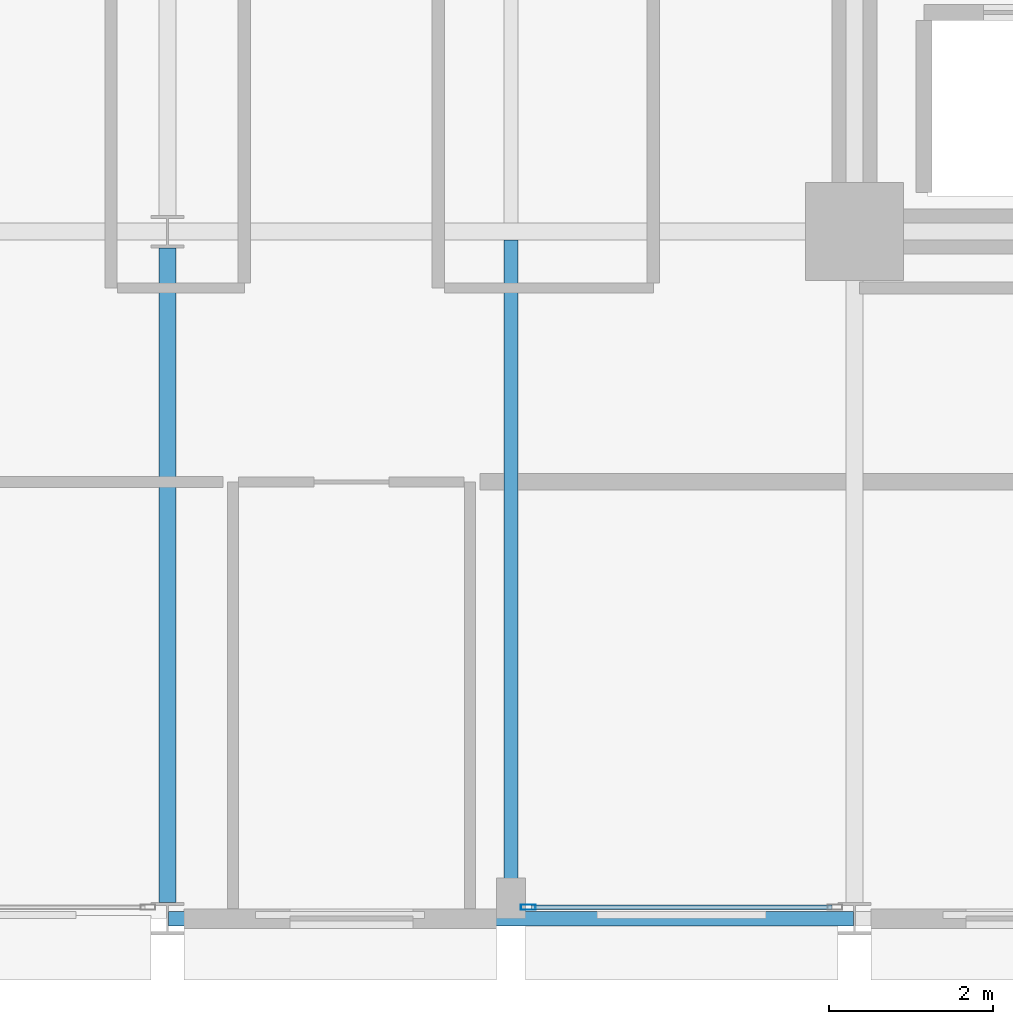
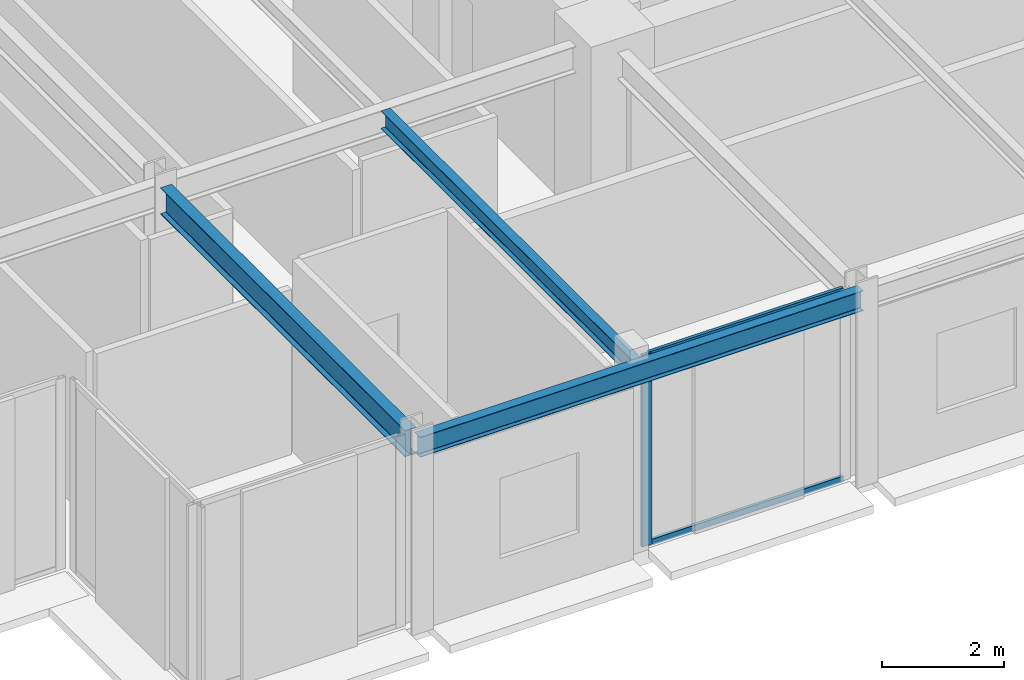
# One storey, part 3 of 30: 3 beams, 3 members, 1 element without a shape of its own.
"""IFC4 building model written with IfcOpenShell, lengths in metres."""

import ifcopenshell
import ifcopenshell.guid

model = None  # the IFC model being written
_history = None  # IfcOwnerHistory: only IFC2X3 demands one
_inside = {}  # id of a spatial element -> (the spatial element, [elements in it])
_under = {}  # id of a project, library or spatial element -> (it, [spatial elements below it])
_declared = {}  # id of a project -> (the project, [libraries it declares])
_typed = {}  # id of a type object -> (the type object, [elements of that type])
_made_of = {}  # id of a material, layer set ... -> (it, [elements and type objects made of it])


def new_model(schema):
    """Start an empty IFC model of exactly this schema.

    Asked for "IFC4X3", IfcOpenShell would pick the latest addendum, in which some entities
    have other attributes; the version numbers below select the first issue.
    IFC2X3 requires an IfcOwnerHistory on every rooted entity: one is made here for all.
    """
    global model, _history
    if schema == "IFC4X3":
        model = ifcopenshell.file(schema_version=(4, 3, 0, 0))
    else:
        model = ifcopenshell.file(schema=schema)
    _inside.clear()
    _under.clear()
    _declared.clear()
    _typed.clear()
    _made_of.clear()
    _history = None
    if model.schema == "IFC2X3":
        org = make("IfcOrganization", Name="unknown")
        user = make(
            "IfcPersonAndOrganization",
            ThePerson=make("IfcPerson", FamilyName="unknown"),
            TheOrganization=org,
        )
        app = make(
            "IfcApplication",
            ApplicationDeveloper=org,
            Version="unknown",
            ApplicationFullName="unknown",
            ApplicationIdentifier="unknown",
        )
        _history = make(
            "IfcOwnerHistory",
            OwningUser=user,
            OwningApplication=app,
            ChangeAction="ADDED",
            CreationDate=0,
        )
    return model


def make(cls, **values):
    """One entity of the class cls with the attributes given. An attribute that is None is left unset."""
    return model.create_entity(
        cls, **{name: value for name, value in values.items() if value is not None}
    )


def rooted(cls, **values):
    """An entity with a GlobalId (a new one), such as an element, a storey or a relation."""
    return make(cls, GlobalId=ifcopenshell.guid.new(), OwnerHistory=_history, **values)


def si_unit(unit_type, name, prefix=None):
    """IfcSIUnit, for example si_unit("LENGTHUNIT", "METRE", prefix="MILLI")."""
    return make("IfcSIUnit", UnitType=unit_type, Prefix=prefix, Name=name)


def assignment(units):
    """IfcUnitAssignment: the units of a project."""
    return None if units is None else make("IfcUnitAssignment", Units=units)


def point(xyz):
    """IfcCartesianPoint."""
    return None if xyz is None else make("IfcCartesianPoint", Coordinates=xyz)


def direction(xyz):
    """IfcDirection."""
    return None if xyz is None else make("IfcDirection", DirectionRatios=xyz)


def frame(location, z_axis=None, x_axis=None):
    """IfcAxis2Placement3D, a coordinate frame: its origin and axes. An axis left out is left unset."""
    return make(
        "IfcAxis2Placement3D",
        Location=point(location),
        Axis=direction(z_axis),
        RefDirection=direction(x_axis),
    )


def frame_2d(location, x_axis=None):
    """IfcAxis2Placement2D, a coordinate frame in the plane: its origin and x axis."""
    return make(
        "IfcAxis2Placement2D", Location=point(location), RefDirection=direction(x_axis)
    )


def origin():
    """The frame at (0, 0, 0) with its axes left unset."""
    return frame((0.0, 0.0, 0.0))


def origin_2d():
    """The frame at (0, 0) in the plane with its x axis left unset."""
    return frame_2d((0.0, 0.0))


def place(relative_to, where):
    """IfcLocalPlacement: puts the frame where relative to a parent placement (None: the world)."""
    return make(
        "IfcLocalPlacement", PlacementRelTo=relative_to, RelativePlacement=where
    )


def context(
    kind, dimensions, precision=None, world=None, true_north=None, identifier=None
):
    """IfcGeometricRepresentationContext, for example the 3D "Model" context."""
    return make(
        "IfcGeometricRepresentationContext",
        ContextIdentifier=identifier,
        ContextType=kind,
        CoordinateSpaceDimension=dimensions,
        Precision=precision,
        WorldCoordinateSystem=world,
        TrueNorth=true_north,
    )


def subcontext(parent, identifier, kind, view, scale=None):
    """IfcGeometricRepresentationSubContext, for example "Body" below "Model"."""
    return make(
        "IfcGeometricRepresentationSubContext",
        ContextIdentifier=identifier,
        ContextType=kind,
        ParentContext=parent,
        TargetScale=scale,
        TargetView=view,
    )


def project(units=None, contexts=None):
    """IfcProject with its units and contexts."""
    return rooted(
        "IfcProject",
        Name="project",
        RepresentationContexts=contexts,
        UnitsInContext=assignment(units),
    )


def spatial(cls, under=None, at=None, **own):
    """A site, building, storey or space (cls), placed at a placement, below another one or the project."""
    s = rooted(cls, ObjectPlacement=at, **own)
    if under is not None:
        _under.setdefault(under.id(), (under, []))[1].append(s)
    return s


def profile(cls, at=None, kind="AREA", **sizes):
    """A parametric profile (cls). Its sizes go by their IFC names, for example OverallWidth=200.0."""
    return make(cls, ProfileType=kind, Position=at, **sizes)


def hollow_rectangle(**sizes):
    """IfcRectangleHollowProfileDef."""
    return profile("IfcRectangleHollowProfileDef", **sizes)


def i_section(**sizes):
    """IfcIShapeProfileDef."""
    return profile("IfcIShapeProfileDef", **sizes)


def extrude(swept, where, along, depth):
    """IfcExtrudedAreaSolid: the profile swept, set in the frame where, extruded along a direction by depth."""
    return make(
        "IfcExtrudedAreaSolid",
        SweptArea=swept,
        Position=where,
        ExtrudedDirection=direction(along),
        Depth=depth,
    )


def shape(context_of_items, identifier, shape_type, items):
    """IfcShapeRepresentation: the items that make up one representation, for example the "Body"."""
    return make(
        "IfcShapeRepresentation",
        ContextOfItems=context_of_items,
        RepresentationIdentifier=identifier,
        RepresentationType=shape_type,
        Items=items,
    )


def material(Name=None, Category=None):
    """IfcMaterial."""
    return make("IfcMaterial", Name=Name, Category=Category)


def layer(
    of_material, thickness, ventilated=None, Name=None, Category=None, Priority=None
):
    """IfcMaterialLayer: one layer of a wall or slab, of a material (None: an air gap)."""
    return make(
        "IfcMaterialLayer",
        Material=of_material,
        LayerThickness=thickness,
        IsVentilated=ventilated,
        Name=Name,
        Category=Category,
        Priority=Priority,
    )


def layer_set(layers, Name=None):
    """IfcMaterialLayerSet."""
    return make("IfcMaterialLayerSet", MaterialLayers=layers, LayerSetName=Name)


def material_profile(
    of_material, cross_section, Name=None, Category=None, Priority=None
):
    """IfcMaterialProfile: a cross section and its material."""
    return make(
        "IfcMaterialProfile",
        Name=Name,
        Material=of_material,
        Profile=cross_section,
        Priority=Priority,
        Category=Category,
    )


def profile_set(profiles, Name=None, composite=None):
    """IfcMaterialProfileSet."""
    return make(
        "IfcMaterialProfileSet",
        Name=Name,
        MaterialProfiles=profiles,
        CompositeProfile=composite,
    )


def made_of(thing, what):
    """Note that an element or type object is made of a material, layer set ...; save() writes the relation."""
    if what is not None:
        _made_of.setdefault(what.id(), (what, []))[1].append(thing)
    return thing


def type_object(cls, material=None, **own):
    """A type object (cls), such as IfcWallType, which elements share."""
    return made_of(rooted(cls, **own), material)


def element(
    cls,
    number,
    at=None,
    inside=None,
    cuts=None,
    type_object=None,
    material=None,
    context=None,
    identifier="Body",
    shape_type=None,
    held_by="IfcProductDefinitionShape",
    body=None,
    shapes=None,
    **own,
):
    """One element of the class cls, such as IfcWall. Its Tag is "e" and its number.

    at: its placement. inside: the storey or other place that contains it. cuts: it is an
    opening in that element (IfcRelVoidsElement). A single representation is given by context,
    identifier, shape_type and body (its items); several are given by shapes. held_by: the class
    of the entity that holds the representations. save() writes the other relations.
    """
    e = rooted(cls, Tag="e%d" % number, ObjectPlacement=at, **own)
    if body is not None:
        shapes = [shape(context, identifier, shape_type, body)]
    if shapes is not None:
        e.Representation = make(held_by, Representations=shapes)
    if inside is not None:
        _inside.setdefault(inside.id(), (inside, []))[1].append(e)
    if cuts is not None:
        rooted(
            "IfcRelVoidsElement", RelatingBuildingElement=cuts, RelatedOpeningElement=e
        )
    if type_object is not None:
        _typed.setdefault(type_object.id(), (type_object, []))[1].append(e)
    return made_of(e, material)


def aggregate(whole, parts):
    """IfcRelAggregates: a whole, such as a stair, and the parts it consists of."""
    return rooted("IfcRelAggregates", RelatingObject=whole, RelatedObjects=parts)


def save(model, path):
    """Write the relations noted so far, then the file.

    IfcRelAggregates (storeys below a building ...), IfcRelContainedInSpatialStructure (elements
    in a storey), IfcRelDefinesByType, IfcRelAssociatesMaterial and IfcRelDeclares: one each for
    every whole, place, type object, material and project.
    """
    for whole, parts in _under.values():
        aggregate(whole, parts)
    for where, things in _inside.values():
        rooted(
            "IfcRelContainedInSpatialStructure",
            RelatedElements=things,
            RelatingStructure=where,
        )
    for kind, things in _typed.values():
        rooted("IfcRelDefinesByType", RelatedObjects=things, RelatingType=kind)
    for what, things in _made_of.values():
        rooted("IfcRelAssociatesMaterial", RelatedObjects=things, RelatingMaterial=what)
    for by, libraries in _declared.values():
        rooted("IfcRelDeclares", RelatingContext=by, RelatedDefinitions=libraries)
    model.write(path)


model = new_model("IFC4")

# Units and contexts
model_context = context("Model", 3, precision=1e-05, world=origin(), true_north=direction((0.0, 1.0)))
body_context = subcontext(model_context, "Body", "Model", "MODEL_VIEW")
ifc_project = project(units=[si_unit("LENGTHUNIT", "METRE"), si_unit("AREAUNIT", "SQUARE_METRE"), si_unit("VOLUMEUNIT", "CUBIC_METRE"), si_unit("PLANEANGLEUNIT", "RADIAN"), si_unit("MASSUNIT", "GRAM", prefix="KILO")], contexts=[model_context])

# Site, building, storey
site_placement = place(None, origin())
site = spatial("IfcSite", under=ifc_project, at=site_placement, CompositionType="ELEMENT")
building_placement = place(site_placement, origin())
building = spatial("IfcBuilding", under=site, at=building_placement, Name="Nerrivon Quay Data Exchange", CompositionType="ELEMENT")
storey_placement = place(building_placement, frame((0.0, 0.0, 154.10009765625)))
storey = spatial("IfcBuildingStorey", under=building, at=storey_placement, Name="L36", CompositionType="ELEMENT", Elevation=154.10009765625)

# Beams
ifc_material_1 = material(Name="Steel Grade 350", Category="steel")
ifc_material_profile_1 = material_profile(ifc_material_1, i_section(OverallWidth=0.208984375, OverallDepth=0.528076171875, WebThickness=0.009521484375, FlangeThickness=0.01318359375, FilletRadius=0.013916015625, at=origin_2d()), Name="530UB82.0")
ifc_profile_set_1 = profile_set([ifc_material_profile_1], Name="Steel Grade 350")
beam_type_1 = type_object("IfcBeamType", Name="BM-G4-530UB82", PredefinedType="BEAM", material=ifc_profile_set_1)
beam_1_placement = place(storey_placement, frame((8.39990234375, 0.199951171875, 3.560791015625), z_axis=(0.0, 1.0, 0.0), x_axis=(-1.0, 0.0, 0.0)))
element("IfcBeam", 1, at=beam_1_placement, inside=storey, type_object=beam_type_1, Name="L36 NS Girder X=8.4 (0.0..8.4)", PredefinedType="BEAM", context=body_context, shape_type="SweptSolid", body=[
    extrude(i_section(OverallWidth=0.208984375, OverallDepth=0.528076171875, WebThickness=0.009521484375, FlangeThickness=0.01318359375, FilletRadius=0.013916015625, at=origin_2d()), origin(), (0.0, 0.0, 1.0), 8.0),
])
ifc_material_profile_2 = material_profile(ifc_material_1, i_section(OverallWidth=0.1708984375, OverallDepth=0.35595703125, WebThickness=0.00732421875, FlangeThickness=0.011474609375, FilletRadius=0.011474609375, at=origin_2d()), Name="360UB50.7")
ifc_profile_set_2 = profile_set([ifc_material_profile_2], Name="Steel Grade 350")
beam_type_2 = type_object("IfcBeamType", Name="BM-J4-360UB51", PredefinedType="JOIST", material=ifc_profile_set_2)
beam_2_placement = place(storey_placement, frame((12.60009765625, 0.089111328125, 3.64697265625), z_axis=(0.0, 1.0, 0.0), x_axis=(-1.0, 0.0, 0.0)))
element("IfcBeam", 2, at=beam_2_placement, inside=storey, type_object=beam_type_2, Name="L36 Secondary Joist X=12.6 (0.0..8.4)", PredefinedType="JOIST", context=body_context, shape_type="SweptSolid", body=[
    extrude(i_section(OverallWidth=0.1708984375, OverallDepth=0.35595703125, WebThickness=0.00732421875, FlangeThickness=0.011474609375, FilletRadius=0.011474609375, at=origin_2d()), origin(), (0.0, 0.0, 1.0), 8.206298828125),
])
ifc_material_profile_3 = material_profile(ifc_material_1, i_section(OverallWidth=0.177978515625, OverallDepth=0.403076171875, WebThickness=0.007568359375, FlangeThickness=0.010986328125, FilletRadius=0.011474609375, at=origin_2d()), Name="410UB53.7")
ifc_profile_set_3 = profile_set([ifc_material_profile_3], Name="Steel Grade 350")
beam_type_3 = type_object("IfcBeamType", Name="BM-SP2-410UB54", PredefinedType="SPANDREL", material=ifc_profile_set_3)
beam_3_placement = place(storey_placement, frame((8.41259765625, 0.0, 3.623291015625), z_axis=(1.0, 0.0, 0.0), x_axis=(0.0, 1.0, 0.0)))
element("IfcBeam", 3, at=beam_3_placement, inside=storey, type_object=beam_type_3, Name="L36 EW Girder Y=0.0 (8.4..16.8)", PredefinedType="SPANDREL", context=body_context, shape_type="SweptSolid", body=[
    extrude(i_section(OverallWidth=0.177978515625, OverallDepth=0.403076171875, WebThickness=0.007568359375, FlangeThickness=0.010986328125, FilletRadius=0.011474609375, at=origin_2d()), origin(), (0.0, 0.0, 1.0), 8.375),
])

# Curtain wall, members
ifc_material_2 = material(Name="Anodised aluminium 6063-T6", Category="aluminium")
ifc_layer = layer(ifc_material_2, 0.2099609375)
ifc_layer_set = layer_set([ifc_layer], Name="Anodised aluminium 6063-T6")
curtain_wall_type = type_object("IfcCurtainWallType", Name="CW-SYS-02", PredefinedType="NOTDEFINED", material=ifc_layer_set)
curtain_wall_placement = place(storey_placement, origin())
curtain_wall = element("IfcCurtainWall", 4, at=curtain_wall_placement, inside=storey, type_object=curtain_wall_type, Name="L36 Unitised Curtain Wall 6", PredefinedType="NOTDEFINED")
ifc_material_profile_4 = material_profile(ifc_material_2, hollow_rectangle(XDim=0.06494140625, YDim=0.179931640625, WallThickness=0.00341796875, at=origin_2d()), Name="ALU-MULL-180x65")
ifc_profile_set_4 = profile_set([ifc_material_profile_4], Name="Anodised aluminium 6063-T6")
member_type_1 = type_object("IfcMemberType", Name="CWM-180x65", PredefinedType="MULLION", material=ifc_profile_set_4)
member_1_placement = place(storey_placement, frame((12.8125, 0.139892578125, 0.0), z_axis=(0.0, 0.0, 1.0), x_axis=(0.0, -1.0, 0.0)))
member_1 = element("IfcMember", 5, at=member_1_placement, type_object=member_type_1, Name="CW02 mullion 2", PredefinedType="MULLION", context=body_context, shape_type="SweptSolid", body=[
    extrude(hollow_rectangle(XDim=0.06494140625, YDim=0.179931640625, WallThickness=0.00341796875, at=origin_2d()), origin(), (0.0, 0.0, 1.0), 3.824951171875),
])
ifc_material_profile_5 = material_profile(ifc_material_2, hollow_rectangle(XDim=0.06005859375, YDim=0.1201171875, WallThickness=0.003173828125, at=origin_2d()), Name="ALU-TRAN-120x60")
ifc_profile_set_5 = profile_set([ifc_material_profile_5], Name="Anodised aluminium 6063-T6")
member_type_2 = type_object("IfcMemberType", Name="CWT-120x60", PredefinedType="USERDEFINED", material=ifc_profile_set_5)
member_2_placement = place(storey_placement, frame((16.52490234375, 0.139892578125, 0.032470703125), z_axis=(-1.0, 0.0, 0.0), x_axis=(0.0, -1.0, 0.0)))
member_2 = element("IfcMember", 6, at=member_2_placement, type_object=member_type_2, Name="CW02 transom 1.1", ObjectType="TRANSOM", PredefinedType="USERDEFINED", context=body_context, shape_type="SweptSolid", body=[
    extrude(hollow_rectangle(XDim=0.06005859375, YDim=0.1201171875, WallThickness=0.003173828125, at=origin_2d()), origin(), (0.0, 0.0, 1.0), 3.6748046875),
])
member_3_placement = place(storey_placement, frame((16.52490234375, 0.139892578125, 3.79248046875), z_axis=(-1.0, 0.0, 0.0), x_axis=(0.0, -1.0, 0.0)))
member_3 = element("IfcMember", 7, at=member_3_placement, type_object=member_type_2, Name="CW02 transom 1.2", ObjectType="TRANSOM", PredefinedType="USERDEFINED", context=body_context, shape_type="SweptSolid", body=[
    extrude(hollow_rectangle(XDim=0.06005859375, YDim=0.1201171875, WallThickness=0.003173828125, at=origin_2d()), origin(), (0.0, 0.0, 1.0), 3.6748046875),
])
aggregate(curtain_wall, [member_1, member_2, member_3])

save(model, "model.ifc")
